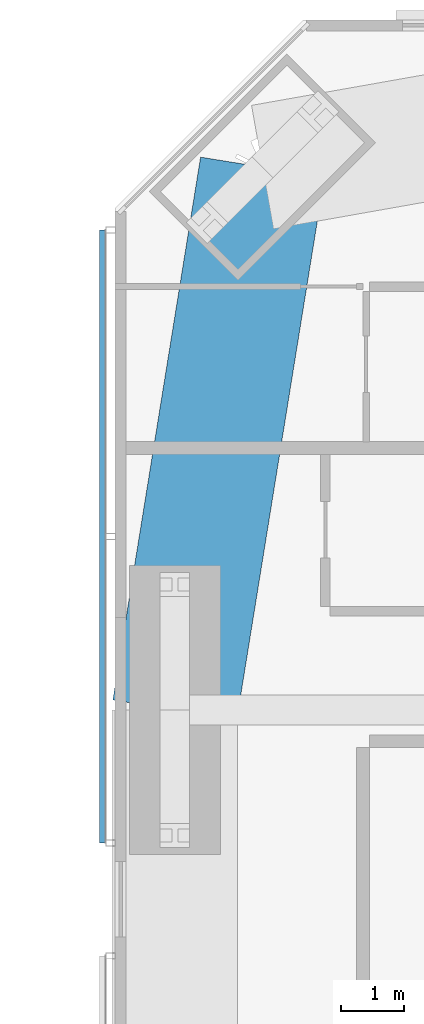
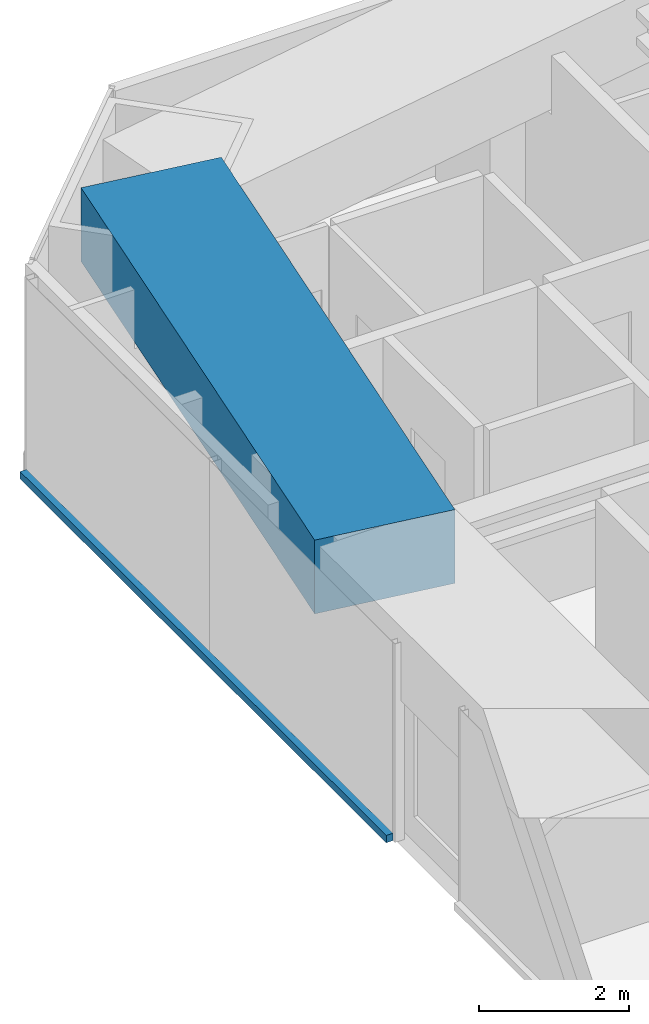
# One storey, part 6 of 22: 1 beam, 1 member, 1 element without a shape of its own.
"""IFC4 building model written with IfcOpenShell, lengths in metres."""

from ifc_helpers import new_model, si_unit, direction, frame, origin, origin_2d, place, context, subcontext, project, spatial, rectangle, extrude, material, material_profile, profile_set, type_object, element, aggregate, save


model = new_model("IFC4")

# Units and contexts
model_context = context("Model", 3, precision=1e-05, world=origin(), true_north=direction((0.0, 1.0)))
body_context = subcontext(model_context, "Body", "Model", "MODEL_VIEW")
ifc_project = project(units=[si_unit("LENGTHUNIT", "METRE"), si_unit("AREAUNIT", "SQUARE_METRE"), si_unit("VOLUMEUNIT", "CUBIC_METRE"), si_unit("PLANEANGLEUNIT", "RADIAN"), si_unit("MASSUNIT", "GRAM", prefix="KILO")], contexts=[model_context])

# Site, building, storey
site_placement = place(None, origin())
site = spatial("IfcSite", under=ifc_project, at=site_placement, CompositionType="ELEMENT")
building_placement = place(site_placement, origin())
building = spatial("IfcBuilding", under=site, at=building_placement, Name="Jalousie Tower", CompositionType="ELEMENT")
storey_placement = place(building_placement, frame((0.0, 0.0, 154.35009765625)))
storey = spatial("IfcBuildingStorey", under=building, at=storey_placement, Name="L41", CompositionType="ELEMENT", Elevation=154.35009765625)

# Beam
ifc_material_1 = material(Name="Concrete f'c 40 MPa", Category="concrete")
ifc_material_profile_1 = material_profile(ifc_material_1, rectangle(XDim=2.0, YDim=1.199951171875, at=origin_2d()), Name="RC 2000x1200")
ifc_profile_set_1 = profile_set([ifc_material_profile_1], Name="Concrete f'c 40 MPa")
beam_type = type_object("IfcBeamType", Name="RC BEAM 2000x1200", PredefinedType="BEAM", material=ifc_profile_set_1)
beam_placement = place(storey_placement, frame((14.348388671875, 33.651611328125, 2.75), z_axis=(-0.159567878256, -0.987186959106, 0.0), x_axis=(0.987186959106, -0.159567878256, 0.0)))
element("IfcBeam", 1, at=beam_placement, inside=storey, type_object=beam_type, Name="Edge band beam 12-13 under L42", PredefinedType="BEAM", context=body_context, shape_type="SweptSolid", body=[
    extrude(rectangle(XDim=2.0, YDim=1.199951171875, at=origin_2d()), origin(), (0.0, 0.0, 1.0), 8.763916015625),
])

# Curtain wall, member
ifc_material_2 = material(Name="Perforated aluminium sheet", Category="aluminium")
curtain_wall_type = type_object("IfcCurtainWallType", Name="SOLAR SCREEN SS-1", PredefinedType="USERDEFINED", material=ifc_material_2)
curtain_wall_placement = place(storey_placement, origin())
curtain_wall = element("IfcCurtainWall", 2, at=curtain_wall_placement, inside=storey, type_object=curtain_wall_type, Name="Solar screen L41", ObjectType="SOLAR SCREEN SS-1", PredefinedType="USERDEFINED")
ifc_material_3 = material(Name="Extruded aluminium screen rail", Category="aluminium")
ifc_material_profile_2 = material_profile(ifc_material_3, rectangle(XDim=0.1015625, YDim=0.1201171875, at=origin_2d()), Name="RAIL 102x120")
ifc_profile_set_2 = profile_set([ifc_material_profile_2], Name="Extruded aluminium screen rail")
member_type = type_object("IfcMemberType", Name="SOLAR SCREEN SS-1 TRANSOM", PredefinedType="USERDEFINED", material=ifc_profile_set_2)
member_placement = place(storey_placement, frame((11.8017578125, 32.648681640625, -0.06005859375), z_axis=(0.0, -1.0, 0.0), x_axis=(1.0, 0.0, 0.0)))
member = element("IfcMember", 3, at=member_placement, type_object=member_type, Name="SS1 rail", ObjectType="TRANSOM", PredefinedType="USERDEFINED", context=body_context, shape_type="SweptSolid", body=[
    extrude(rectangle(XDim=0.1015625, YDim=0.1201171875, at=origin_2d()), origin(), (0.0, 0.0, 1.0), 9.766845703125),
])
aggregate(curtain_wall, [member])

save(model, "model.ifc")
